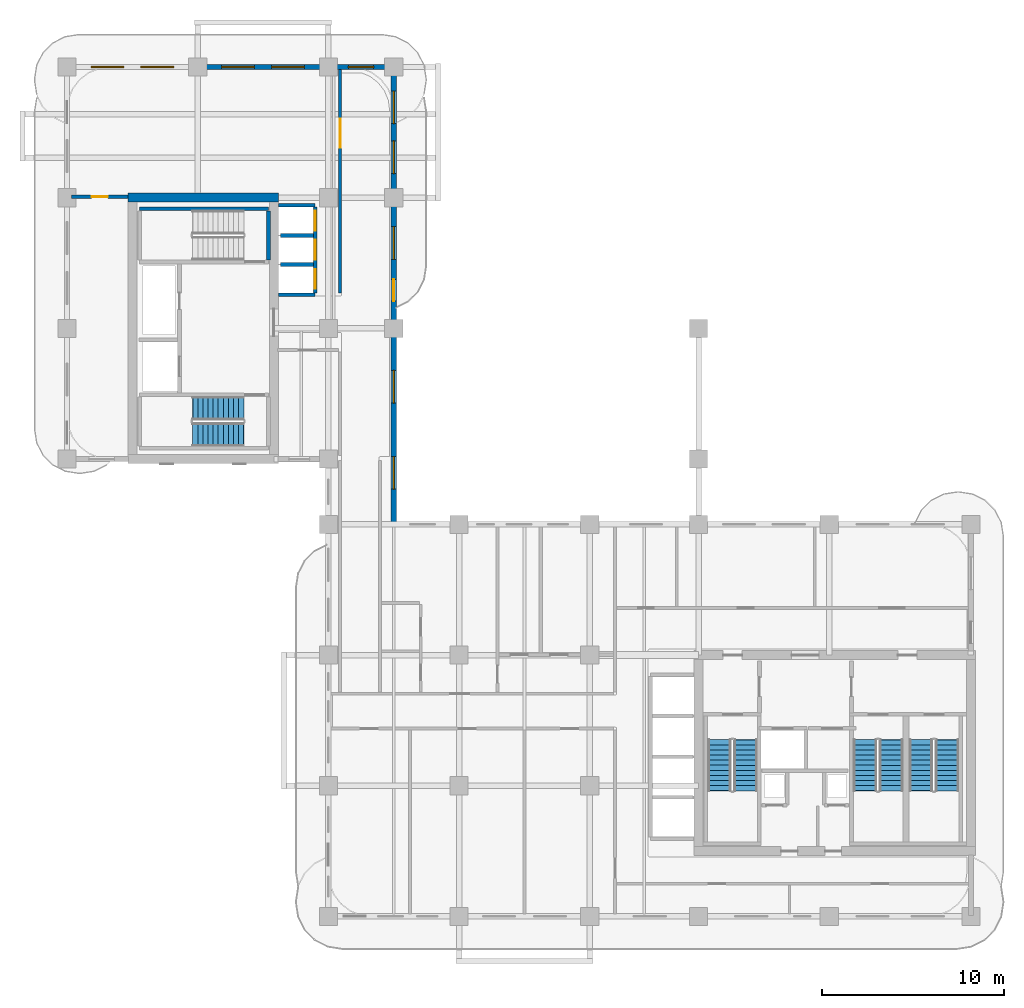
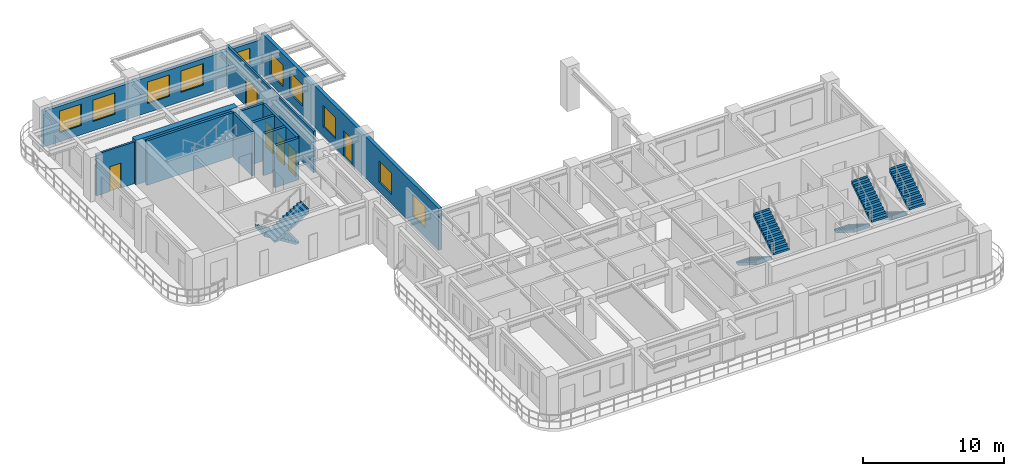
# One storey, part 8 of 13: 12 walls, 10 windows, 8 stair flights, 6 doors, 16 openings, 4 elements without a shape of their own.
"""IFC4 building model written with IfcOpenShell, lengths in metres."""

from ifc_helpers import new_model, si_unit, derived_unit, direction, frame, frame_2d, origin, place, context, subcontext, project, spatial, polyline, rectangle, outline, extrude, source, transform, mapped, material, layer, layer_set, type_object, type_shapes, element, fill, aggregate, save


model = new_model("IFC4")

# Units and contexts
model_context = context("Model", 3, precision=1e-05, world=origin(), true_north=direction((0.0, 1.0)))
body_context = subcontext(model_context, "Body", "Model", "MODEL_VIEW")
ifc_project = project(units=[si_unit("LENGTHUNIT", "METRE"), si_unit("AREAUNIT", "SQUARE_METRE"), si_unit("VOLUMEUNIT", "CUBIC_METRE"), si_unit("PLANEANGLEUNIT", "RADIAN"), si_unit("MASSUNIT", "GRAM", prefix="KILO"), si_unit("THERMODYNAMICTEMPERATUREUNIT", "KELVIN"), si_unit("POWERUNIT", "WATT"), derived_unit("THERMALTRANSMITTANCEUNIT", [(si_unit("POWERUNIT", "WATT"), 1), (si_unit("AREAUNIT", "SQUARE_METRE"), -1), (si_unit("THERMODYNAMICTEMPERATUREUNIT", "KELVIN"), -1)])], contexts=[model_context])

# Site, building, storey
site_placement = place(None, origin())
site = spatial("IfcSite", under=ifc_project, at=site_placement, CompositionType="ELEMENT")
building_placement = place(site_placement, origin())
building = spatial("IfcBuilding", under=site, at=building_placement, Name="Zahravan Archway Hotel and Residences", CompositionType="ELEMENT")
storey_placement = place(building_placement, frame((0.0, 0.0, 181.10009765625)))
storey = spatial("IfcBuildingStorey", under=building, at=storey_placement, Name="L45", CompositionType="ELEMENT", Elevation=181.10009765625)

# Wall
ifc_material_1 = material(Name="Concrete C60/75", Category="concrete")
ifc_layer_1 = layer(ifc_material_1, 0.5, Name="Concrete C60/75", Category="concrete")
ifc_layer_set_1 = layer_set([ifc_layer_1], Name="Concrete C60/75")
wall_type_1 = type_object("IfcWallType", Name="CW-CORE-500", PredefinedType="SHEAR", material=ifc_layer_set_1)
wall_1_placement = place(storey_placement, frame((3.35009765625, 39.60009765625, 0.0), z_axis=(0.0, 0.0, 1.0), x_axis=(1.0, 0.0, 0.0)))
element("IfcWall", 1, at=wall_1_placement, inside=storey, type_object=wall_type_1, Name="L45 Core B Shear N Wall 500 mm", PredefinedType="SHEAR", context=body_context, shape_type="SweptSolid", body=[
    extrude(rectangle(XDim=8.2998046875, YDim=0.5, at=frame_2d((4.14990234375, 0.0))), origin(), (0.0, 0.0, 1.0), 3.849853515625),
])

# Wall, openings, windows
ifc_material_2 = material(Name="Honed Red-Ochre Sandstone & Insulated Block", Category="masonry")
ifc_layer_2 = layer(ifc_material_2, 0.280029296875, Name="Honed Red-Ochre Sandstone & Insulated Block", Category="masonry")
ifc_layer_set_2 = layer_set([ifc_layer_2], Name="Honed Red-Ochre Sandstone & Insulated Block")
wall_type_2 = type_object("IfcWallType", Name="EW-LOG-280", PredefinedType="SOLIDWALL", material=ifc_layer_set_2)
wall_2_placement = place(storey_placement, frame((0.0, 46.800048828125, 0.0), z_axis=(0.0, 0.0, 1.0), x_axis=(1.0, 0.0, 0.0)))
wall_2 = element("IfcWall", 2, at=wall_2_placement, inside=storey, type_object=wall_type_2, Name="L45 Exterior Sandstone Wall WB-N", PredefinedType="SOLIDWALL", context=body_context, shape_type="SweptSolid", body=[
    extrude(rectangle(XDim=18.0, YDim=0.280029296875, at=frame_2d((9.0, 0.0))), origin(), (0.0, 0.0, 1.0), 3.0849609375),
])
opening_1_placement = place(wall_2_placement, frame((1.324951171875, 0.0, 0.800048828125)))
opening_1 = element("IfcOpeningElement", 3, at=opening_1_placement, cuts=wall_2, Name="Opening W-02", PredefinedType="OPENING", context=body_context, shape_type="SweptSolid", body=[
    extrude(rectangle(XDim=1.800048828125, YDim=1.85009765625, at=frame_2d((0.89990234375, 0.925048828125))), frame((0.0, 0.14990234375, 0.0), z_axis=(0.0, -1.0, 0.0), x_axis=(1.0, 0.0, 0.0)), (0.0, 0.0, 1.0), 0.300048828125),
])
opening_2_placement = place(wall_2_placement, frame((4.074951171875, 0.0, 0.800048828125)))
opening_2 = element("IfcOpeningElement", 4, at=opening_2_placement, cuts=wall_2, Name="Opening W-02", PredefinedType="OPENING", context=body_context, shape_type="SweptSolid", body=[
    extrude(rectangle(XDim=1.800048828125, YDim=1.85009765625, at=frame_2d((0.89990234375, 0.925048828125))), frame((0.0, 0.14990234375, 0.0), z_axis=(0.0, -1.0, 0.0), x_axis=(1.0, 0.0, 0.0)), (0.0, 0.0, 1.0), 0.300048828125),
])
opening_3_placement = place(wall_2_placement, frame((8.52490234375, 0.0, 0.800048828125)))
opening_3 = element("IfcOpeningElement", 5, at=opening_3_placement, cuts=wall_2, Name="Opening W-02", PredefinedType="OPENING", context=body_context, shape_type="SweptSolid", body=[
    extrude(rectangle(XDim=1.800048828125, YDim=1.85009765625, at=frame_2d((0.89990234375, 0.925048828125))), frame((0.0, 0.14990234375, 0.0), z_axis=(0.0, -1.0, 0.0), x_axis=(1.0, 0.0, 0.0)), (0.0, 0.0, 1.0), 0.300048828125),
])
opening_4_placement = place(wall_2_placement, frame((11.27490234375, 0.0, 0.800048828125)))
opening_4 = element("IfcOpeningElement", 6, at=opening_4_placement, cuts=wall_2, Name="Opening W-02", PredefinedType="OPENING", context=body_context, shape_type="SweptSolid", body=[
    extrude(rectangle(XDim=1.800048828125, YDim=1.85009765625, at=frame_2d((0.89990234375, 0.925048828125))), frame((0.0, 0.14990234375, 0.0), z_axis=(0.0, -1.0, 0.0), x_axis=(1.0, 0.0, 0.0)), (0.0, 0.0, 1.0), 0.300048828125),
])
opening_5_placement = place(wall_2_placement, frame((15.5, 0.0, 0.800048828125)))
opening_5 = element("IfcOpeningElement", 7, at=opening_5_placement, cuts=wall_2, Name="Opening W-03", PredefinedType="OPENING", context=body_context, shape_type="SweptSolid", body=[
    extrude(rectangle(XDim=1.39990234375, YDim=1.85009765625, at=frame_2d((0.699951171875, 0.925048828125))), frame((0.0, 0.14990234375, 0.0), z_axis=(0.0, -1.0, 0.0), x_axis=(1.0, 0.0, 0.0)), (0.0, 0.0, 1.0), 0.300048828125),
])
ifc_material_3 = material(Name="Bronze-Anodized Thermal-Break Aluminium & Low-E Glass", Category="aluminium")
window_type_1 = type_object("IfcWindowType", Name="WIN-TWR-1400", PartitioningType="SINGLE_PANEL", PredefinedType="WINDOW", material=ifc_material_3)
shared_shape_1 = source(origin(), body_context, "Body", "SweptSolid", [
    extrude(rectangle(XDim=1.39990234375, YDim=1.85009765625, at=frame_2d((0.699951171875, 0.925048828125))), frame((0.0, 0.030029296875, 0.0), z_axis=(0.0, -1.0, 0.0), x_axis=(1.0, 0.0, 0.0)), (0.0, 0.0, 1.0), 0.06005859375),
])
type_shapes(window_type_1, [shared_shape_1])
window_1_placement = place(opening_5_placement, origin())
window_1 = element("IfcWindow", 8, at=window_1_placement, inside=storey, type_object=window_type_1, Name="L45 Loggia Window 38", OverallHeight=1.85009765625, OverallWidth=1.39990234375, PartitioningType="SINGLE_PANEL", PredefinedType="WINDOW", context=body_context, shape_type="MappedRepresentation", body=[
    mapped(shared_shape_1, transform((0.0, 0.0, 0.0), scale=1.0)),
])
fill(opening_5, window_1)
window_type_2 = type_object("IfcWindowType", Name="WIN-TWR-1800", PartitioningType="DOUBLE_PANEL_VERTICAL", PredefinedType="WINDOW", material=ifc_material_3)
shared_shape_2 = source(origin(), body_context, "Body", "SweptSolid", [
    extrude(rectangle(XDim=1.800048828125, YDim=1.85009765625, at=frame_2d((0.89990234375, 0.925048828125))), frame((0.0, 0.030029296875, 0.0), z_axis=(0.0, -1.0, 0.0), x_axis=(1.0, 0.0, 0.0)), (0.0, 0.0, 1.0), 0.06005859375),
])
type_shapes(window_type_2, [shared_shape_2])
window_2_placement = place(opening_1_placement, origin())
window_2 = element("IfcWindow", 9, at=window_2_placement, inside=storey, type_object=window_type_2, Name="L45 Loggia Window 34", OverallHeight=1.85009765625, OverallWidth=1.800048828125, PartitioningType="DOUBLE_PANEL_VERTICAL", PredefinedType="WINDOW", context=body_context, shape_type="MappedRepresentation", body=[
    mapped(shared_shape_2, transform((0.0, 0.0, 0.0), scale=1.0)),
])
fill(opening_1, window_2)
window_3_placement = place(opening_2_placement, origin())
window_3 = element("IfcWindow", 10, at=window_3_placement, inside=storey, type_object=window_type_2, Name="L45 Loggia Window 35", OverallHeight=1.85009765625, OverallWidth=1.800048828125, PartitioningType="DOUBLE_PANEL_VERTICAL", PredefinedType="WINDOW", context=body_context, shape_type="MappedRepresentation", body=[
    mapped(shared_shape_2, transform((0.0, 0.0, 0.0), scale=1.0)),
])
fill(opening_2, window_3)
window_4_placement = place(opening_3_placement, origin())
window_4 = element("IfcWindow", 11, at=window_4_placement, inside=storey, type_object=window_type_2, Name="L45 Loggia Window 36", OverallHeight=1.85009765625, OverallWidth=1.800048828125, PartitioningType="DOUBLE_PANEL_VERTICAL", PredefinedType="WINDOW", context=body_context, shape_type="MappedRepresentation", body=[
    mapped(shared_shape_2, transform((0.0, 0.0, 0.0), scale=1.0)),
])
fill(opening_3, window_4)
window_5_placement = place(opening_4_placement, origin())
window_5 = element("IfcWindow", 12, at=window_5_placement, inside=storey, type_object=window_type_2, Name="L45 Loggia Window 37", OverallHeight=1.85009765625, OverallWidth=1.800048828125, PartitioningType="DOUBLE_PANEL_VERTICAL", PredefinedType="WINDOW", context=body_context, shape_type="MappedRepresentation", body=[
    mapped(shared_shape_2, transform((0.0, 0.0, 0.0), scale=1.0)),
])
fill(opening_4, window_5)

# Wall, openings, door, windows
wall_3_placement = place(storey_placement, frame((18.0, 21.64990234375, 0.0), z_axis=(0.0, 0.0, 1.0), x_axis=(0.0, 1.0, 0.0)))
wall_3 = element("IfcWall", 13, at=wall_3_placement, inside=storey, type_object=wall_type_2, Name="L45 Exterior Sandstone Wall WB-EU", PredefinedType="SOLIDWALL", context=body_context, shape_type="SweptSolid", body=[
    extrude(rectangle(XDim=25.10009765625, YDim=0.280029296875, at=frame_2d((12.550048828125, 0.0))), origin(), (0.0, 0.0, 1.0), 3.599853515625),
])
opening_6_placement = place(wall_3_placement, frame((12.25, 0.0, 0.0)))
opening_6 = element("IfcOpeningElement", 14, at=opening_6_placement, cuts=wall_3, Name="Opening ED-BL1", PredefinedType="OPENING", context=body_context, shape_type="SweptSolid", body=[
    extrude(rectangle(XDim=1.199951171875, YDim=2.199951171875, at=frame_2d((0.60009765625, 1.10009765625))), frame((0.0, 0.14990234375, 0.0), z_axis=(0.0, -1.0, 0.0), x_axis=(1.0, 0.0, 0.0)), (0.0, 0.0, 1.0), 0.300048828125),
])
opening_7_placement = place(wall_3_placement, frame((1.889892578125, 0.0, 0.800048828125)))
opening_7 = element("IfcOpeningElement", 15, at=opening_7_placement, cuts=wall_3, Name="Opening W-02", PredefinedType="OPENING", context=body_context, shape_type="SweptSolid", body=[
    extrude(rectangle(XDim=1.800048828125, YDim=1.85009765625, at=frame_2d((0.89990234375, 0.925048828125))), frame((0.0, 0.14990234375, 0.0), z_axis=(0.0, -1.0, 0.0), x_axis=(1.0, 0.0, 0.0)), (0.0, 0.0, 1.0), 0.300048828125),
])
opening_8_placement = place(wall_3_placement, frame((6.6298828125, 0.0, 0.800048828125)))
opening_8 = element("IfcOpeningElement", 16, at=opening_8_placement, cuts=wall_3, Name="Opening W-02", PredefinedType="OPENING", context=body_context, shape_type="SweptSolid", body=[
    extrude(rectangle(XDim=1.800048828125, YDim=1.85009765625, at=frame_2d((0.89990234375, 0.925048828125))), frame((0.0, 0.14990234375, 0.0), z_axis=(0.0, -1.0, 0.0), x_axis=(1.0, 0.0, 0.0)), (0.0, 0.0, 1.0), 0.300048828125),
])
opening_9_placement = place(wall_3_placement, frame((14.550048828125, 0.0, 0.800048828125)))
opening_9 = element("IfcOpeningElement", 17, at=opening_9_placement, cuts=wall_3, Name="Opening W-02", PredefinedType="OPENING", context=body_context, shape_type="SweptSolid", body=[
    extrude(rectangle(XDim=1.800048828125, YDim=1.85009765625, at=frame_2d((0.89990234375, 0.925048828125))), frame((0.0, 0.14990234375, 0.0), z_axis=(0.0, -1.0, 0.0), x_axis=(1.0, 0.0, 0.0)), (0.0, 0.0, 1.0), 0.300048828125),
])
opening_10_placement = place(wall_3_placement, frame((19.27490234375, 0.0, 0.800048828125)))
opening_10 = element("IfcOpeningElement", 18, at=opening_10_placement, cuts=wall_3, Name="Opening W-02", PredefinedType="OPENING", context=body_context, shape_type="SweptSolid", body=[
    extrude(rectangle(XDim=1.800048828125, YDim=1.85009765625, at=frame_2d((0.89990234375, 0.925048828125))), frame((0.0, 0.14990234375, 0.0), z_axis=(0.0, -1.0, 0.0), x_axis=(1.0, 0.0, 0.0)), (0.0, 0.0, 1.0), 0.300048828125),
])
opening_11_placement = place(wall_3_placement, frame((22.02490234375, 0.0, 0.800048828125)))
opening_11 = element("IfcOpeningElement", 19, at=opening_11_placement, cuts=wall_3, Name="Opening W-02", PredefinedType="OPENING", context=body_context, shape_type="SweptSolid", body=[
    extrude(rectangle(XDim=1.800048828125, YDim=1.85009765625, at=frame_2d((0.89990234375, 0.925048828125))), frame((0.0, 0.14990234375, 0.0), z_axis=(0.0, -1.0, 0.0), x_axis=(1.0, 0.0, 0.0)), (0.0, 0.0, 1.0), 0.300048828125),
])
ifc_material_4 = material(Name="Bronze-Anodized Glazed Aluminium", Category="aluminium")
door_type_1 = type_object("IfcDoorType", Name="ED-BALC-1200", OperationType="SLIDING_TO_LEFT", PredefinedType="DOOR", material=ifc_material_4)
shared_shape_3 = source(origin(), body_context, "Body", "SweptSolid", [
    extrude(rectangle(XDim=1.199951171875, YDim=2.199951171875, at=frame_2d((0.60009765625, 1.10009765625))), frame((0.0, 0.02490234375, 0.0), z_axis=(0.0, -1.0, 0.0), x_axis=(1.0, 0.0, 0.0)), (0.0, 0.0, 1.0), 0.050048828125),
])
type_shapes(door_type_1, [shared_shape_3])
door_1_placement = place(opening_6_placement, origin())
door_1 = element("IfcDoor", 20, at=door_1_placement, inside=storey, type_object=door_type_1, Name="L45 Outdoor Access Sliding Door (SLB-BAL-L45-EB)", OperationType="SLIDING_TO_LEFT", OverallHeight=2.199951171875, OverallWidth=1.199951171875, PredefinedType="DOOR", context=body_context, shape_type="MappedRepresentation", body=[
    mapped(shared_shape_3, transform((0.0, 0.0, 0.0), scale=1.0)),
])
fill(opening_6, door_1)
window_6_placement = place(opening_7_placement, origin())
window_6 = element("IfcWindow", 21, at=window_6_placement, inside=storey, type_object=window_type_2, Name="L45 Loggia Window 39", OverallHeight=1.85009765625, OverallWidth=1.800048828125, PartitioningType="DOUBLE_PANEL_VERTICAL", PredefinedType="WINDOW", context=body_context, shape_type="MappedRepresentation", body=[
    mapped(shared_shape_2, transform((0.0, 0.0, 0.0), scale=1.0)),
])
fill(opening_7, window_6)
window_7_placement = place(opening_8_placement, origin())
window_7 = element("IfcWindow", 22, at=window_7_placement, inside=storey, type_object=window_type_2, Name="L45 Loggia Window 40", OverallHeight=1.85009765625, OverallWidth=1.800048828125, PartitioningType="DOUBLE_PANEL_VERTICAL", PredefinedType="WINDOW", context=body_context, shape_type="MappedRepresentation", body=[
    mapped(shared_shape_2, transform((0.0, 0.0, 0.0), scale=1.0)),
])
fill(opening_8, window_7)
window_8_placement = place(opening_9_placement, origin())
window_8 = element("IfcWindow", 23, at=window_8_placement, inside=storey, type_object=window_type_2, Name="L45 Loggia Window 41", OverallHeight=1.85009765625, OverallWidth=1.800048828125, PartitioningType="DOUBLE_PANEL_VERTICAL", PredefinedType="WINDOW", context=body_context, shape_type="MappedRepresentation", body=[
    mapped(shared_shape_2, transform((0.0, 0.0, 0.0), scale=1.0)),
])
fill(opening_9, window_8)
window_9_placement = place(opening_10_placement, origin())
window_9 = element("IfcWindow", 24, at=window_9_placement, inside=storey, type_object=window_type_2, Name="L45 Loggia Window 42", OverallHeight=1.85009765625, OverallWidth=1.800048828125, PartitioningType="DOUBLE_PANEL_VERTICAL", PredefinedType="WINDOW", context=body_context, shape_type="MappedRepresentation", body=[
    mapped(shared_shape_2, transform((0.0, 0.0, 0.0), scale=1.0)),
])
fill(opening_10, window_9)
window_10_placement = place(opening_11_placement, origin())
window_10 = element("IfcWindow", 25, at=window_10_placement, inside=storey, type_object=window_type_2, Name="L45 Loggia Window 43", OverallHeight=1.85009765625, OverallWidth=1.800048828125, PartitioningType="DOUBLE_PANEL_VERTICAL", PredefinedType="WINDOW", context=body_context, shape_type="MappedRepresentation", body=[
    mapped(shared_shape_2, transform((0.0, 0.0, 0.0), scale=1.0)),
])
fill(opening_11, window_10)

# Wall, opening, door
ifc_material_5 = material(Name="Fire-Rated Gypsum & Concrete Block", Category="concrete")
ifc_layer_3 = layer(ifc_material_5, 0.159912109375, Name="Fire-Rated Gypsum & Concrete Block", Category="concrete")
ifc_layer_set_3 = layer_set([ifc_layer_3], Name="Fire-Rated Gypsum & Concrete Block")
wall_type_3 = type_object("IfcWallType", Name="PW-CORR-160", PredefinedType="PARTITIONING", material=ifc_layer_set_3)
wall_4_placement = place(storey_placement, frame((15.050048828125, 34.340087890625, 0.0), z_axis=(0.0, 0.0, 1.0), x_axis=(0.0, 1.0, 0.0)))
wall_4 = element("IfcWall", 26, at=wall_4_placement, inside=storey, type_object=wall_type_3, Name="L45 Partition WBN-C", PredefinedType="PARTITIONING", context=body_context, shape_type="SweptSolid", body=[
    extrude(rectangle(XDim=12.31201171875, YDim=0.159912109375, at=frame_2d((6.156005859375, 0.0))), origin(), (0.0, 0.0, 1.0), 3.599853515625),
])
opening_12_placement = place(wall_4_placement, frame((8.010009765625, 0.0, 0.0)))
opening_12 = element("IfcOpeningElement", 27, at=opening_12_placement, cuts=wall_4, Name="Opening D-P2", PredefinedType="OPENING", context=body_context, shape_type="SweptSolid", body=[
    extrude(rectangle(XDim=1.60009765625, YDim=2.39990234375, at=frame_2d((0.800048828125, 1.199951171875))), frame((0.0, 0.08984375, 0.0), z_axis=(0.0, -1.0, 0.0), x_axis=(1.0, 0.0, 0.0)), (0.0, 0.0, 1.0), 0.179931640625),
])
door_type_2 = type_object("IfcDoorType", Name="ID-PUBLIC-1600", OperationType="DOUBLE_DOOR_SINGLE_SWING", PredefinedType="DOOR", material=ifc_material_4)
shared_shape_4 = source(origin(), body_context, "Body", "SweptSolid", [
    extrude(rectangle(XDim=1.60009765625, YDim=2.39990234375, at=frame_2d((0.800048828125, 1.199951171875))), frame((0.0, 0.02490234375, 0.0), z_axis=(0.0, -1.0, 0.0), x_axis=(1.0, 0.0, 0.0)), (0.0, 0.0, 1.0), 0.050048828125),
])
type_shapes(door_type_2, [shared_shape_4])
door_2_placement = place(opening_12_placement, origin())
door_2 = element("IfcDoor", 28, at=door_2_placement, inside=storey, type_object=door_type_2, Name="L45 North Wing Spa Salon Door", OperationType="DOUBLE_DOOR_SINGLE_SWING", OverallHeight=2.39990234375, OverallWidth=1.60009765625, PredefinedType="DOOR", context=body_context, shape_type="MappedRepresentation", body=[
    mapped(shared_shape_4, transform((0.0, 0.0, 0.0), scale=1.0)),
])
fill(opening_12, door_2)

# Walls
ifc_layer_4 = layer(ifc_material_5, 0.199951171875, Name="Fire-Rated Gypsum & Concrete Block", Category="concrete")
ifc_layer_set_4 = layer_set([ifc_layer_4], Name="Fire-Rated Gypsum & Concrete Block")
wall_type_4 = type_object("IfcWallType", Name="PW-SHAFT-200", PredefinedType="PARTITIONING", material=ifc_layer_set_4)
for number, where, z_axis, x_axis, name in (
    (29, (11.659912109375, 34.25, 0.0), (0.0, 0.0, 1.0), (1.0, 0.0, 0.0), "L45 Partition B2-S"),
    (30, (11.659912109375, 39.18994140625, 0.0), (0.0, 0.0, 1.0), (1.0, 0.0, 0.0), "L45 Partition B2-N"),
):
    element("IfcWall", number, at=place(storey_placement, frame(where, z_axis=z_axis, x_axis=x_axis)), inside=storey, type_object=wall_type_4, Name=name, PredefinedType="PARTITIONING", context=body_context, shape_type="SweptSolid", body=[
        extrude(rectangle(XDim=2.010009765625, YDim=0.199951171875, at=frame_2d((1.0048828125, 0.0))), origin(), (0.0, 0.0, 1.0), 3.599853515625),
    ])

# Wall, openings, doors
wall_5_placement = place(storey_placement, frame((13.679931640625, 34.360107421875, 0.0), z_axis=(0.0, 0.0, 1.0), x_axis=(0.0, 1.0, 0.0)))
wall_5 = element("IfcWall", 31, at=wall_5_placement, inside=storey, type_object=wall_type_4, Name="L45 Partition B2-E", PredefinedType="PARTITIONING", context=body_context, shape_type="SweptSolid", body=[
    extrude(rectangle(XDim=4.719970703125, YDim=0.199951171875, at=frame_2d((2.35986328125, 0.0))), origin(), (0.0, 0.0, 1.0), 3.599853515625),
])
opening_13_placement = place(wall_5_placement, frame((0.2099609375, 0.0, 0.0)))
opening_13 = element("IfcOpeningElement", 32, at=opening_13_placement, cuts=wall_5, Name="Opening LD", PredefinedType="OPENING", context=body_context, shape_type="SweptSolid", body=[
    extrude(rectangle(XDim=1.10009765625, YDim=2.199951171875, at=frame_2d((0.550048828125, 1.10009765625))), frame((0.0, 0.10986328125, 0.0), z_axis=(0.0, -1.0, 0.0), x_axis=(1.0, 0.0, 0.0)), (0.0, 0.0, 1.0), 0.219970703125),
])
opening_14_placement = place(wall_5_placement, frame((1.81005859375, 0.0, 0.0)))
opening_14 = element("IfcOpeningElement", 33, at=opening_14_placement, cuts=wall_5, Name="Opening LD", PredefinedType="OPENING", context=body_context, shape_type="SweptSolid", body=[
    extrude(rectangle(XDim=1.10009765625, YDim=2.199951171875, at=frame_2d((0.550048828125, 1.10009765625))), frame((0.0, 0.10986328125, 0.0), z_axis=(0.0, -1.0, 0.0), x_axis=(1.0, 0.0, 0.0)), (0.0, 0.0, 1.0), 0.219970703125),
])
opening_15_placement = place(wall_5_placement, frame((3.409912109375, 0.0, 0.0)))
opening_15 = element("IfcOpeningElement", 34, at=opening_15_placement, cuts=wall_5, Name="Opening LD", PredefinedType="OPENING", context=body_context, shape_type="SweptSolid", body=[
    extrude(rectangle(XDim=1.10009765625, YDim=2.199951171875, at=frame_2d((0.550048828125, 1.10009765625))), frame((0.0, 0.10986328125, 0.0), z_axis=(0.0, -1.0, 0.0), x_axis=(1.0, 0.0, 0.0)), (0.0, 0.0, 1.0), 0.219970703125),
])
ifc_material_6 = material(Name="Brushed Stainless Steel", Category="steel")
door_type_3 = type_object("IfcDoorType", Name="DR-LIFT-LD", OperationType="SLIDING_TO_LEFT", PredefinedType="DOOR", material=ifc_material_6)
shared_shape_5 = source(origin(), body_context, "Body", "SweptSolid", [
    extrude(rectangle(XDim=1.10009765625, YDim=2.199951171875, at=frame_2d((0.550048828125, 1.10009765625))), frame((0.0, 0.02490234375, 0.0), z_axis=(0.0, -1.0, 0.0), x_axis=(1.0, 0.0, 0.0)), (0.0, 0.0, 1.0), 0.050048828125),
])
type_shapes(door_type_3, [shared_shape_5])
door_3_placement = place(opening_13_placement, origin())
door_3 = element("IfcDoor", 35, at=door_3_placement, inside=storey, type_object=door_type_3, Name="L45 Lift LP-4 Sliding Landing Door", OperationType="SLIDING_TO_LEFT", OverallHeight=2.199951171875, OverallWidth=1.10009765625, PredefinedType="DOOR", context=body_context, shape_type="MappedRepresentation", body=[
    mapped(shared_shape_5, transform((0.0, 0.0, 0.0), scale=1.0)),
])
fill(opening_13, door_3)
door_4_placement = place(opening_14_placement, origin())
door_4 = element("IfcDoor", 36, at=door_4_placement, inside=storey, type_object=door_type_3, Name="L45 Lift LP-5 Sliding Landing Door", OperationType="SLIDING_TO_LEFT", OverallHeight=2.199951171875, OverallWidth=1.10009765625, PredefinedType="DOOR", context=body_context, shape_type="MappedRepresentation", body=[
    mapped(shared_shape_5, transform((0.0, 0.0, 0.0), scale=1.0)),
])
fill(opening_14, door_4)
door_5_placement = place(opening_15_placement, origin())
door_5 = element("IfcDoor", 37, at=door_5_placement, inside=storey, type_object=door_type_3, Name="L45 Lift LP-6 Sliding Landing Door", OperationType="SLIDING_TO_LEFT", OverallHeight=2.199951171875, OverallWidth=1.10009765625, PredefinedType="DOOR", context=body_context, shape_type="MappedRepresentation", body=[
    mapped(shared_shape_5, transform((0.0, 0.0, 0.0), scale=1.0)),
])
fill(opening_15, door_5)

# Walls
for number, where, z_axis, x_axis, name in (
    (38, (11.760009765625, 35.919921875, 0.0), (0.0, 0.0, 1.0), (1.0, 0.0, 0.0), "L45 Partition B2-D"),
    (39, (11.760009765625, 37.52001953125, 0.0), (0.0, 0.0, 1.0), (1.0, 0.0, 0.0), "L45 Partition B2-D"),
):
    element("IfcWall", number, at=place(storey_placement, frame(where, z_axis=z_axis, x_axis=x_axis)), inside=storey, type_object=wall_type_4, Name=name, PredefinedType="PARTITIONING", context=body_context, shape_type="SweptSolid", body=[
        extrude(rectangle(XDim=1.81005859375, YDim=0.199951171875, at=frame_2d((0.905029296875, 0.0))), origin(), (0.0, 0.0, 1.0), 3.599853515625),
    ])

# Wall, opening, door
ifc_material_7 = material(Name="Acoustic Stud Partition")
ifc_layer_5 = layer(ifc_material_7, 0.169921875, Name="Acoustic Stud Partition")
ifc_layer_set_5 = layer_set([ifc_layer_5], Name="Acoustic Stud Partition")
wall_type_5 = type_object("IfcWallType", Name="PW-UNIT-170", PredefinedType="PARTITIONING", material=ifc_layer_set_5)
wall_6_placement = place(storey_placement, frame((0.239990234375, 39.64990234375, 0.0), z_axis=(0.0, 0.0, 1.0), x_axis=(1.0, 0.0, 0.0)))
wall_6 = element("IfcWall", 40, at=wall_6_placement, inside=storey, type_object=wall_type_5, Name="L45 Partition WBW-N", PredefinedType="PARTITIONING", context=body_context, shape_type="SweptSolid", body=[
    extrude(rectangle(XDim=3.1201171875, YDim=0.169921875, at=frame_2d((1.56005859375, 0.0))), origin(), (0.0, 0.0, 1.0), 3.599853515625),
])
opening_16_placement = place(wall_6_placement, frame((1.110107421875, 0.0, 0.0)))
opening_16 = element("IfcOpeningElement", 41, at=opening_16_placement, cuts=wall_6, Name="Opening D-I2", PredefinedType="OPENING", context=body_context, shape_type="SweptSolid", body=[
    extrude(rectangle(XDim=0.89990234375, YDim=2.14990234375, at=frame_2d((0.449951171875, 1.074951171875))), frame((0.0, 0.094970703125, 0.0), z_axis=(0.0, -1.0, 0.0), x_axis=(1.0, 0.0, 0.0)), (0.0, 0.0, 1.0), 0.18994140625),
])
ifc_material_8 = material(Name="Hardwood Veneer Timber", Category="wood")
door_type_4 = type_object("IfcDoorType", Name="ID-INT-900", OperationType="NOTDEFINED", PredefinedType="DOOR", material=ifc_material_8)
shared_shape_6 = source(origin(), body_context, "Body", "SweptSolid", [
    extrude(rectangle(XDim=0.89990234375, YDim=2.14990234375, at=frame_2d((0.449951171875, 1.074951171875))), frame((0.0, 0.02490234375, 0.0), z_axis=(0.0, -1.0, 0.0), x_axis=(1.0, 0.0, 0.0)), (0.0, 0.0, 1.0), 0.050048828125),
])
type_shapes(door_type_4, [shared_shape_6])
door_6_placement = place(opening_16_placement, origin())
door_6 = element("IfcDoor", 42, at=door_6_placement, inside=storey, type_object=door_type_4, Name="L45 West Loggia Salon Door", OperationType="SINGLE_SWING_RIGHT", OverallHeight=2.14990234375, OverallWidth=0.89990234375, PredefinedType="DOOR", context=body_context, shape_type="MappedRepresentation", body=[
    mapped(shared_shape_6, transform((0.0, 0.0, 0.0), scale=1.0)),
])
fill(opening_16, door_6)

# Walls
ifc_material_9 = material(Name="Concrete C50/60", Category="concrete")
ifc_layer_6 = layer(ifc_material_9, 0.199951171875, Name="Concrete C50/60", Category="concrete")
ifc_layer_set_6 = layer_set([ifc_layer_6], Name="Concrete C50/60")
wall_type_6 = type_object("IfcWallType", Name="SW-STAIR-200", PredefinedType="SHEAR", material=ifc_layer_set_6)
wall_7_placement = place(storey_placement, frame((4.0, 39.0, 0.0), z_axis=(0.0, 0.0, 1.0), x_axis=(1.0, 0.0, 0.0)))
element("IfcWall", 43, at=wall_7_placement, inside=storey, type_object=wall_type_6, Name="L45 Stairwell RC Wall CB-SB2N", PredefinedType="SHEAR", context=body_context, shape_type="SweptSolid", body=[
    extrude(rectangle(XDim=7.10009765625, YDim=0.199951171875, at=frame_2d((3.550048828125, 0.0))), origin(), (0.0, 0.0, 1.0), 3.849853515625),
])
wall_8_placement = place(storey_placement, frame((11.10009765625, 36.179931640625, 0.0), z_axis=(0.0, 0.0, 1.0), x_axis=(0.0, 1.0, 0.0)))
element("IfcWall", 44, at=wall_8_placement, inside=storey, type_object=wall_type_6, Name="L45 Stairwell RC Wall CB-SB2E", PredefinedType="SHEAR", context=body_context, shape_type="SweptSolid", body=[
    extrude(rectangle(XDim=2.699951171875, YDim=0.199951171875, at=frame_2d((1.35009765625, 0.0))), origin(), (0.0, 0.0, 1.0), 3.849853515625),
])

# Stair, stair flights
stair_type = type_object("IfcStairType", Name="STR-CORE-1300", PredefinedType="HALF_TURN_STAIR", material=ifc_material_9)
stair_1_placement = place(storey_placement, origin())
stair_1 = element("IfcStair", 45, at=stair_1_placement, inside=storey, type_object=stair_type, Name="L45 Core A Exit Stair 1", PredefinedType="HALF_TURN_STAIR")
ifc_layer_7 = layer(ifc_material_9, 0.199951171875, Name="Concrete C50/60", Category="concrete")
ifc_layer_set_7 = layer_set([ifc_layer_7], Name="Concrete C50/60")
stair_flight_type = type_object("IfcStairFlightType", Name="SFL-CORE-1300", PredefinedType="STRAIGHT", material=ifc_layer_set_7)
shared_shape_7 = source(origin(), body_context, "Body", "SweptSolid", [
    extrude(outline(polyline([(-0.01611328125, 0.0), (-0.01611328125, 0.175048828125), (0.280029296875, 0.175048828125), (0.280029296875, 0.35009765625), (0.56005859375, 0.35009765625), (0.56005859375, 0.52490234375), (0.840087890625, 0.52490234375), (0.840087890625, 0.699951171875), (1.1201171875, 0.699951171875), (1.1201171875, 0.875), (1.39990234375, 0.875), (1.39990234375, 1.050048828125), (1.679931640625, 1.050048828125), (1.679931640625, 1.22509765625), (1.9599609375, 1.22509765625), (1.9599609375, 1.39990234375), (2.239990234375, 1.39990234375), (2.239990234375, 1.574951171875), (2.52001953125, 1.574951171875), (2.52001953125, 1.75), (2.800048828125, 1.75), (2.800048828125, 1.925048828125), (2.816162109375, 1.925048828125), (2.816162109375, 1.5732421875), (0.28271484375, 0.0), (-0.01611328125, 0.0)])), frame((0.0, 0.64990234375, 0.0), z_axis=(0.0, -1.0, 0.0), x_axis=(1.0, 0.0, 0.0)), (0.0, 0.0, 1.0), 1.300048828125),
])
stair_flight_1_placement = place(storey_placement, frame((35.949951171875, 9.72998046875, 0.0), z_axis=(0.0, 0.0, 1.0), x_axis=(0.0, -1.0, 0.0)))
stair_flight_1 = element("IfcStairFlight", 46, at=stair_flight_1_placement, type_object=stair_flight_type, Name="ST-A1 flight 1", NumberOfRisers=11, NumberOfTreads=10, PredefinedType="STRAIGHT", RiserHeight=0.175, TreadLength=0.28, context=body_context, shape_type="MappedRepresentation", body=[
    mapped(shared_shape_7, transform((0.0, 0.0, 0.0), scale=1.0)),
])
stair_flight_2_placement = place(storey_placement, frame((37.389892578125, 6.929931640625, 1.9248046875), z_axis=(0.0, 0.0, 1.0), x_axis=(0.0, 1.0, 0.0)))
stair_flight_2 = element("IfcStairFlight", 47, at=stair_flight_2_placement, type_object=stair_flight_type, Name="ST-A1 flight 2", NumberOfRisers=11, NumberOfTreads=10, PredefinedType="STRAIGHT", RiserHeight=0.175, TreadLength=0.28, context=body_context, shape_type="MappedRepresentation", body=[
    mapped(shared_shape_7, transform((0.0, 0.0, 0.0), scale=1.0)),
])
aggregate(stair_1, [stair_flight_1, stair_flight_2])

stair_2_placement = place(storey_placement, origin())
stair_2 = element("IfcStair", 48, at=stair_2_placement, inside=storey, type_object=stair_type, Name="L45 Core A Exit Stair 2", PredefinedType="HALF_TURN_STAIR")
stair_flight_3_placement = place(storey_placement, frame((43.969970703125, 9.72998046875, 0.0), z_axis=(0.0, 0.0, 1.0), x_axis=(0.0, -1.0, 0.0)))
stair_flight_3 = element("IfcStairFlight", 49, at=stair_flight_3_placement, type_object=stair_flight_type, Name="ST-A2 flight 1", NumberOfRisers=11, NumberOfTreads=10, PredefinedType="STRAIGHT", RiserHeight=0.175, TreadLength=0.28, context=body_context, shape_type="MappedRepresentation", body=[
    mapped(shared_shape_7, transform((0.0, 0.0, 0.0), scale=1.0)),
])
stair_flight_4_placement = place(storey_placement, frame((45.409912109375, 6.929931640625, 1.9248046875), z_axis=(0.0, 0.0, 1.0), x_axis=(0.0, 1.0, 0.0)))
stair_flight_4 = element("IfcStairFlight", 50, at=stair_flight_4_placement, type_object=stair_flight_type, Name="ST-A2 flight 2", NumberOfRisers=11, NumberOfTreads=10, PredefinedType="STRAIGHT", RiserHeight=0.175, TreadLength=0.28, context=body_context, shape_type="MappedRepresentation", body=[
    mapped(shared_shape_7, transform((0.0, 0.0, 0.0), scale=1.0)),
])
aggregate(stair_2, [stair_flight_3, stair_flight_4])

stair_3_placement = place(storey_placement, origin())
stair_3 = element("IfcStair", 51, at=stair_3_placement, inside=storey, type_object=stair_type, Name="L45 Core A Exit Stair 3", PredefinedType="HALF_TURN_STAIR")
stair_flight_5_placement = place(storey_placement, frame((47.050048828125, 9.72998046875, 0.0), z_axis=(0.0, 0.0, 1.0), x_axis=(0.0, -1.0, 0.0)))
stair_flight_5 = element("IfcStairFlight", 52, at=stair_flight_5_placement, type_object=stair_flight_type, Name="ST-A3 flight 1", NumberOfRisers=11, NumberOfTreads=10, PredefinedType="STRAIGHT", RiserHeight=0.175, TreadLength=0.28, context=body_context, shape_type="MappedRepresentation", body=[
    mapped(shared_shape_7, transform((0.0, 0.0, 0.0), scale=1.0)),
])
stair_flight_6_placement = place(storey_placement, frame((48.489990234375, 6.929931640625, 1.9248046875), z_axis=(0.0, 0.0, 1.0), x_axis=(0.0, 1.0, 0.0)))
stair_flight_6 = element("IfcStairFlight", 53, at=stair_flight_6_placement, type_object=stair_flight_type, Name="ST-A3 flight 2", NumberOfRisers=11, NumberOfTreads=10, PredefinedType="STRAIGHT", RiserHeight=0.175, TreadLength=0.28, context=body_context, shape_type="MappedRepresentation", body=[
    mapped(shared_shape_7, transform((0.0, 0.0, 0.0), scale=1.0)),
])
aggregate(stair_3, [stair_flight_5, stair_flight_6])

stair_4_placement = place(storey_placement, origin())
stair_4 = element("IfcStair", 54, at=stair_4_placement, inside=storey, type_object=stair_type, Name="L45 Core B Exit Stair 1", PredefinedType="HALF_TURN_STAIR")
stair_flight_7_placement = place(storey_placement, frame((9.72998046875, 27.989990234375, 0.0), z_axis=(0.0, 0.0, 1.0), x_axis=(-1.0, 0.0, 0.0)))
stair_flight_7 = element("IfcStairFlight", 55, at=stair_flight_7_placement, type_object=stair_flight_type, Name="ST-B1 flight 1", NumberOfRisers=11, NumberOfTreads=10, PredefinedType="STRAIGHT", RiserHeight=0.175, TreadLength=0.28, context=body_context, shape_type="MappedRepresentation", body=[
    mapped(shared_shape_7, transform((0.0, 0.0, 0.0), scale=1.0)),
])
stair_flight_8_placement = place(storey_placement, frame((6.929931640625, 26.550048828125, 1.9248046875), z_axis=(0.0, 0.0, 1.0), x_axis=(1.0, 0.0, 0.0)))
stair_flight_8 = element("IfcStairFlight", 56, at=stair_flight_8_placement, type_object=stair_flight_type, Name="ST-B1 flight 2", NumberOfRisers=11, NumberOfTreads=10, PredefinedType="STRAIGHT", RiserHeight=0.175, TreadLength=0.28, context=body_context, shape_type="MappedRepresentation", body=[
    mapped(shared_shape_7, transform((0.0, 0.0, 0.0), scale=1.0)),
])
aggregate(stair_4, [stair_flight_7, stair_flight_8])

save(model, "model.ifc")
